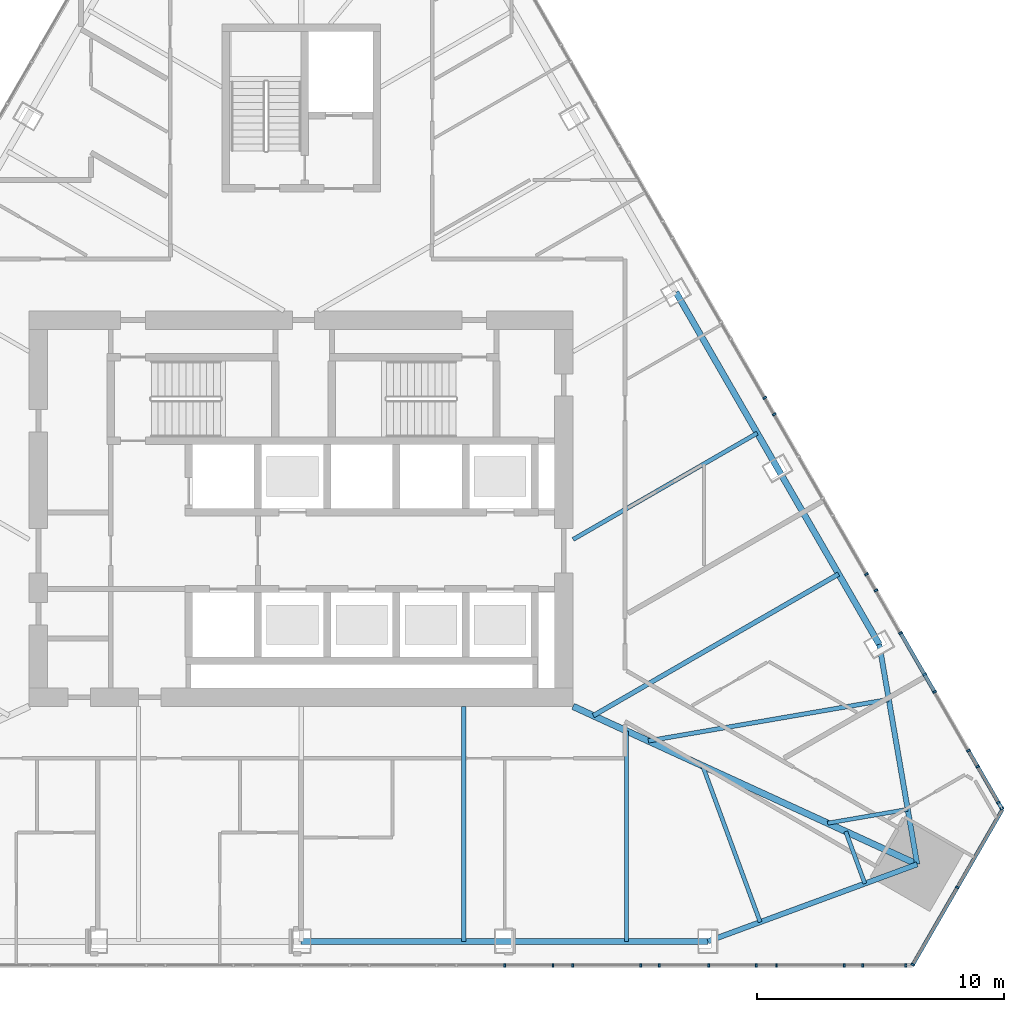
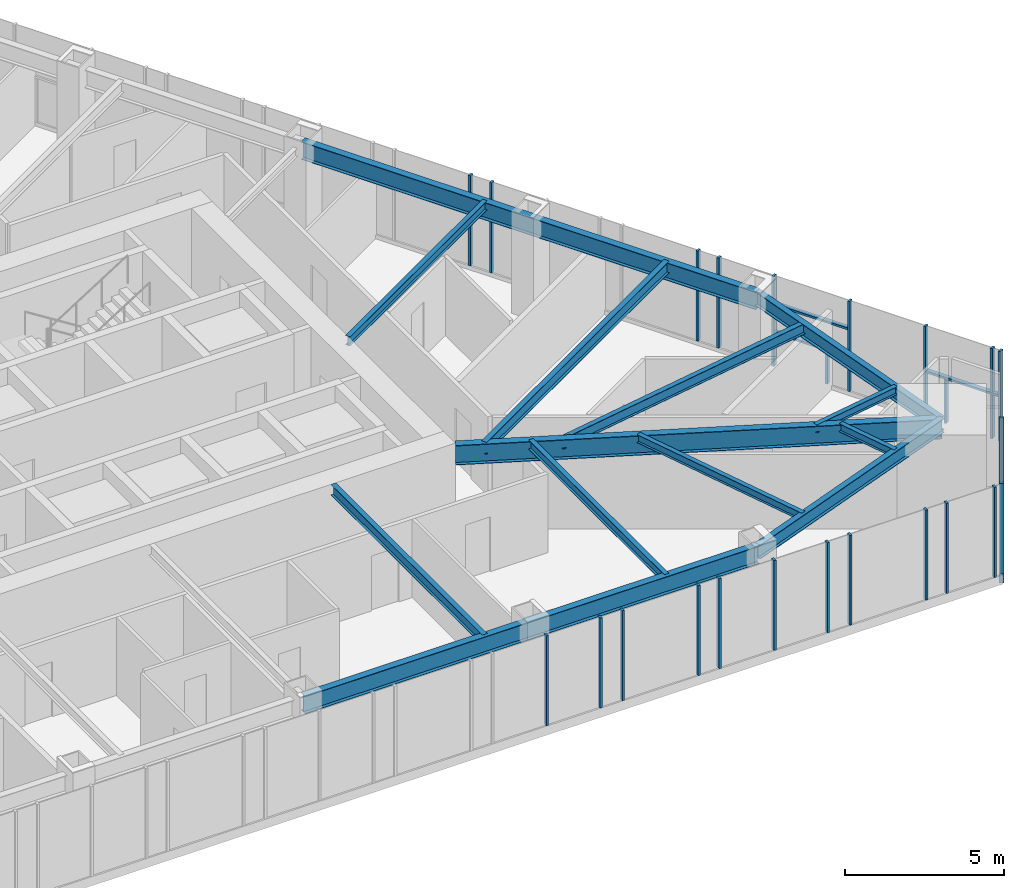
# One storey, part 7 of 24: 29 members, 13 beams, 3 elements without a shape of their own.
"""IFC4 building model written with IfcOpenShell, lengths in metres."""

from ifc_helpers import new_model, si_unit, direction, frame, origin, origin_2d, place, context, subcontext, project, spatial, rectangle, i_section, extrude, material, layer, layer_set, material_profile, profile_set, type_object, element, aggregate, save


model = new_model("IFC4")

# Units and contexts
model_context = context("Model", 3, precision=1e-05, world=origin(), true_north=direction((0.0, 1.0)))
body_context = subcontext(model_context, "Body", "Model", "MODEL_VIEW")
ifc_project = project(units=[si_unit("LENGTHUNIT", "METRE"), si_unit("AREAUNIT", "SQUARE_METRE"), si_unit("VOLUMEUNIT", "CUBIC_METRE"), si_unit("PLANEANGLEUNIT", "RADIAN"), si_unit("MASSUNIT", "GRAM", prefix="KILO")], contexts=[model_context])

# Site, building, storey
site_placement = place(None, origin())
site = spatial("IfcSite", under=ifc_project, at=site_placement, CompositionType="ELEMENT")
building_placement = place(site_placement, origin())
building = spatial("IfcBuilding", under=site, at=building_placement, Name="Firuza Gate Tower and Library", CompositionType="ELEMENT")
storey_placement = place(building_placement, frame((0.0, 0.0, 237.699951171875)))
storey = spatial("IfcBuildingStorey", under=building, at=storey_placement, Name="L56", CompositionType="ELEMENT", Elevation=237.699951171875)

# Curtain wall, members
ifc_material_1 = material(Name="Aluminium 6063-T6", Category="aluminium")
ifc_layer_1 = layer(ifc_material_1, 0.14990234375)
ifc_layer_set_1 = layer_set([ifc_layer_1], Name="Unitised curtain wall, hotel")
curtain_wall_type_1 = type_object("IfcCurtainWallType", Name="Unitised curtain wall, hotel", PredefinedType="NOTDEFINED", material=ifc_layer_set_1)
placement = place(storey_placement, origin())
curtain_wall_1 = element("IfcCurtainWall", 1, at=placement, inside=storey, type_object=curtain_wall_type_1, Name="CW2 L56 S face", PredefinedType="NOTDEFINED")
ifc_material_2 = material(Name="Aluminium 6063-T6", Category="aluminium")
ifc_material_profile_1 = material_profile(ifc_material_2, rectangle(XDim=0.14990234375, YDim=0.080078125, at=origin_2d()))
ifc_profile_set_1 = profile_set([ifc_material_profile_1], Name="Aluminium 6063-T6")
member_type_1 = type_object("IfcMemberType", Name="Curtain wall mullion 80x150", PredefinedType="MULLION", material=ifc_profile_set_1)
member_1_placement = place(storey_placement, frame((83.239990234375, 56.52099609375, 0.150146484375), z_axis=(0.0, 0.0, 1.0), x_axis=(0.0, 1.0, 0.0)))
member_1 = element("IfcMember", 2, at=member_1_placement, type_object=member_type_1, Name="Mullion", PredefinedType="MULLION", context=body_context, shape_type="SweptSolid", body=[
    extrude(rectangle(XDim=0.14990234375, YDim=0.080078125, at=origin_2d()), origin(), (0.0, 0.0, 1.0), 3.449951171875),
])
member_2_placement = place(storey_placement, frame((85.986572265625, 56.52099609375, 0.150146484375), z_axis=(0.0, 0.0, 1.0), x_axis=(0.0, 1.0, 0.0)))
member_2 = element("IfcMember", 3, at=member_2_placement, type_object=member_type_1, Name="Mullion", PredefinedType="MULLION", context=body_context, shape_type="SweptSolid", body=[
    extrude(rectangle(XDim=0.14990234375, YDim=0.080078125, at=origin_2d()), origin(), (0.0, 0.0, 1.0), 3.449951171875),
])
member_3_placement = place(storey_placement, frame((88.7333984375, 56.52099609375, 0.150146484375), z_axis=(0.0, 0.0, 1.0), x_axis=(0.0, 1.0, 0.0)))
member_3 = element("IfcMember", 4, at=member_3_placement, type_object=member_type_1, Name="Mullion", PredefinedType="MULLION", context=body_context, shape_type="SweptSolid", body=[
    extrude(rectangle(XDim=0.14990234375, YDim=0.080078125, at=origin_2d()), origin(), (0.0, 0.0, 1.0), 3.449951171875),
])
member_4_placement = place(storey_placement, frame((91.47998046875, 56.52099609375, 0.150146484375), z_axis=(0.0, 0.0, 1.0), x_axis=(0.0, 1.0, 0.0)))
member_4 = element("IfcMember", 5, at=member_4_placement, type_object=member_type_1, Name="Mullion", PredefinedType="MULLION", context=body_context, shape_type="SweptSolid", body=[
    extrude(rectangle(XDim=0.14990234375, YDim=0.080078125, at=origin_2d()), origin(), (0.0, 0.0, 1.0), 3.449951171875),
])
member_5_placement = place(storey_placement, frame((94.2265625, 56.52099609375, 0.150146484375), z_axis=(0.0, 0.0, 1.0), x_axis=(0.0, 1.0, 0.0)))
member_5 = element("IfcMember", 6, at=member_5_placement, type_object=member_type_1, Name="Mullion", PredefinedType="MULLION", context=body_context, shape_type="SweptSolid", body=[
    extrude(rectangle(XDim=0.14990234375, YDim=0.080078125, at=origin_2d()), origin(), (0.0, 0.0, 1.0), 3.449951171875),
])
member_6_placement = place(storey_placement, frame((96.973388671875, 56.52099609375, 0.150146484375), z_axis=(0.0, 0.0, 1.0), x_axis=(0.0, 1.0, 0.0)))
member_6 = element("IfcMember", 7, at=member_6_placement, type_object=member_type_1, Name="Mullion", PredefinedType="MULLION", context=body_context, shape_type="SweptSolid", body=[
    extrude(rectangle(XDim=0.14990234375, YDim=0.080078125, at=origin_2d()), origin(), (0.0, 0.0, 1.0), 3.449951171875),
])
member_7_placement = place(storey_placement, frame((85.18701171875, 56.52099609375, 0.150146484375), z_axis=(0.0, 0.0, 1.0), x_axis=(0.0, 1.0, 0.0)))
member_7 = element("IfcMember", 8, at=member_7_placement, type_object=member_type_1, Name="Mullion", PredefinedType="MULLION", context=body_context, shape_type="SweptSolid", body=[
    extrude(rectangle(XDim=0.14990234375, YDim=0.080078125, at=origin_2d()), origin(), (0.0, 0.0, 1.0), 3.449951171875),
])
member_8_placement = place(storey_placement, frame((89.489501953125, 56.52099609375, 0.150146484375), z_axis=(0.0, 0.0, 1.0), x_axis=(0.0, 1.0, 0.0)))
member_8 = element("IfcMember", 9, at=member_8_placement, type_object=member_type_1, Name="Mullion", PredefinedType="MULLION", context=body_context, shape_type="SweptSolid", body=[
    extrude(rectangle(XDim=0.14990234375, YDim=0.080078125, at=origin_2d()), origin(), (0.0, 0.0, 1.0), 3.449951171875),
])
member_9_placement = place(storey_placement, frame((93.41259765625, 56.52099609375, 0.150146484375), z_axis=(0.0, 0.0, 1.0), x_axis=(0.0, 1.0, 0.0)))
member_9 = element("IfcMember", 10, at=member_9_placement, type_object=member_type_1, Name="Mullion", PredefinedType="MULLION", context=body_context, shape_type="SweptSolid", body=[
    extrude(rectangle(XDim=0.14990234375, YDim=0.080078125, at=origin_2d()), origin(), (0.0, 0.0, 1.0), 3.449951171875),
])
member_10_placement = place(storey_placement, frame((97.715087890625, 56.52099609375, 0.150146484375), z_axis=(0.0, 0.0, 1.0), x_axis=(0.0, 1.0, 0.0)))
member_10 = element("IfcMember", 11, at=member_10_placement, type_object=member_type_1, Name="Mullion", PredefinedType="MULLION", context=body_context, shape_type="SweptSolid", body=[
    extrude(rectangle(XDim=0.14990234375, YDim=0.080078125, at=origin_2d()), origin(), (0.0, 0.0, 1.0), 3.449951171875),
])
member_11_placement = place(storey_placement, frame((99.453857421875, 56.52099609375, 0.150146484375), z_axis=(0.0, 0.0, 1.0), x_axis=(0.0, 1.0, 0.0)))
member_11 = element("IfcMember", 12, at=member_11_placement, type_object=member_type_1, Name="Mullion", PredefinedType="MULLION", context=body_context, shape_type="SweptSolid", body=[
    extrude(rectangle(XDim=0.14990234375, YDim=0.080078125, at=origin_2d()), origin(), (0.0, 0.0, 1.0), 3.449951171875),
])
aggregate(curtain_wall_1, [member_1, member_2, member_3, member_4, member_5, member_6, member_7, member_8, member_9, member_10, member_11])

ifc_material_3 = material(Name="Aluminium 6063-T6", Category="aluminium")
ifc_layer_2 = layer(ifc_material_3, 0.14990234375)
ifc_layer_set_2 = layer_set([ifc_layer_2], Name="Corner curtain wall, chamfers")
curtain_wall_type_2 = type_object("IfcCurtainWallType", Name="Corner curtain wall, chamfers", PredefinedType="NOTDEFINED", material=ifc_layer_set_2)
curtain_wall_2 = element("IfcCurtainWall", 13, at=placement, inside=storey, type_object=curtain_wall_type_2, Name="CW4 L56 SE corner", PredefinedType="NOTDEFINED")
member_12_placement = place(storey_placement, frame((99.739990234375, 56.5556640625, 0.150146484375), z_axis=(0.0, 0.0, 1.0), x_axis=(-0.866025403784, 0.5, 0.0)))
member_12 = element("IfcMember", 14, at=member_12_placement, type_object=member_type_1, Name="Mullion", PredefinedType="MULLION", context=body_context, shape_type="SweptSolid", body=[
    extrude(rectangle(XDim=0.14990234375, YDim=0.080078125, at=origin_2d()), origin(), (0.0, 0.0, 1.0), 3.449951171875),
])
member_13_placement = place(storey_placement, frame((101.54150390625, 59.67626953125, 0.150146484375), z_axis=(0.0, 0.0, 1.0), x_axis=(-0.866025403784, 0.5, 0.0)))
member_13 = element("IfcMember", 15, at=member_13_placement, type_object=member_type_1, Name="Mullion", PredefinedType="MULLION", context=body_context, shape_type="SweptSolid", body=[
    extrude(rectangle(XDim=0.14990234375, YDim=0.080078125, at=origin_2d()), origin(), (0.0, 0.0, 1.0), 3.449951171875),
])

curtain_wall_3 = element("IfcCurtainWall", 16, at=placement, inside=storey, type_object=curtain_wall_type_1, Name="CW2 L56 E face", PredefinedType="NOTDEFINED")
member_14_placement = place(storey_placement, frame((103.34326171875, 62.865966796875, 0.150146484375), z_axis=(0.0, 0.0, 1.0), x_axis=(-0.866025403784, -0.5, 0.0)))
member_14 = element("IfcMember", 17, at=member_14_placement, type_object=member_type_1, Name="Mullion", PredefinedType="MULLION", context=body_context, shape_type="SweptSolid", body=[
    extrude(rectangle(XDim=0.14990234375, YDim=0.080078125, at=origin_2d()), origin(), (0.0, 0.0, 1.0), 3.449951171875),
])
member_15_placement = place(storey_placement, frame((101.989990234375, 65.2099609375, 0.150146484375), z_axis=(0.0, 0.0, 1.0), x_axis=(-0.866025403784, -0.5, 0.0)))
member_15 = element("IfcMember", 18, at=member_15_placement, type_object=member_type_1, Name="Mullion", PredefinedType="MULLION", context=body_context, shape_type="SweptSolid", body=[
    extrude(rectangle(XDim=0.14990234375, YDim=0.080078125, at=origin_2d()), origin(), (0.0, 0.0, 1.0), 3.449951171875),
])
member_16_placement = place(storey_placement, frame((100.616455078125, 67.5888671875, 0.150146484375), z_axis=(0.0, 0.0, 1.0), x_axis=(-0.866025403784, -0.5, 0.0)))
member_16 = element("IfcMember", 19, at=member_16_placement, type_object=member_type_1, Name="Mullion", PredefinedType="MULLION", context=body_context, shape_type="SweptSolid", body=[
    extrude(rectangle(XDim=0.14990234375, YDim=0.080078125, at=origin_2d()), origin(), (0.0, 0.0, 1.0), 3.449951171875),
])
member_17_placement = place(storey_placement, frame((99.2431640625, 69.967529296875, 0.150146484375), z_axis=(0.0, 0.0, 1.0), x_axis=(-0.866025403784, -0.5, 0.0)))
member_17 = element("IfcMember", 20, at=member_17_placement, type_object=member_type_1, Name="Mullion", PredefinedType="MULLION", context=body_context, shape_type="SweptSolid", body=[
    extrude(rectangle(XDim=0.14990234375, YDim=0.080078125, at=origin_2d()), origin(), (0.0, 0.0, 1.0), 3.449951171875),
])
member_18_placement = place(storey_placement, frame((97.869873046875, 72.34619140625, 0.150146484375), z_axis=(0.0, 0.0, 1.0), x_axis=(-0.866025403784, -0.5, 0.0)))
member_18 = element("IfcMember", 21, at=member_18_placement, type_object=member_type_1, Name="Mullion", PredefinedType="MULLION", context=body_context, shape_type="SweptSolid", body=[
    extrude(rectangle(XDim=0.14990234375, YDim=0.080078125, at=origin_2d()), origin(), (0.0, 0.0, 1.0), 3.449951171875),
])
member_19_placement = place(storey_placement, frame((93.75, 79.482177734375, 0.150146484375), z_axis=(0.0, 0.0, 1.0), x_axis=(-0.866025403784, -0.5, 0.0)))
member_19 = element("IfcMember", 22, at=member_19_placement, type_object=member_type_1, Name="Mullion", PredefinedType="MULLION", context=body_context, shape_type="SweptSolid", body=[
    extrude(rectangle(XDim=0.14990234375, YDim=0.080078125, at=origin_2d()), origin(), (0.0, 0.0, 1.0), 3.449951171875),
])
member_20_placement = place(storey_placement, frame((103.19775390625, 63.1181640625, 0.150146484375), z_axis=(0.0, 0.0, 1.0), x_axis=(-0.866025403784, -0.5, 0.0)))
member_20 = element("IfcMember", 23, at=member_20_placement, type_object=member_type_1, Name="Mullion", PredefinedType="MULLION", context=body_context, shape_type="SweptSolid", body=[
    extrude(rectangle(XDim=0.14990234375, YDim=0.080078125, at=origin_2d()), origin(), (0.0, 0.0, 1.0), 1.684814453125),
])
member_21_placement = place(storey_placement, frame((102.36083984375, 64.567626953125, 0.150146484375), z_axis=(0.0, 0.0, 1.0), x_axis=(-0.866025403784, -0.5, 0.0)))
member_21 = element("IfcMember", 24, at=member_21_placement, type_object=member_type_1, Name="Mullion", PredefinedType="MULLION", context=body_context, shape_type="SweptSolid", body=[
    extrude(rectangle(XDim=0.14990234375, YDim=0.080078125, at=origin_2d()), origin(), (0.0, 0.0, 1.0), 1.684814453125),
])
member_22_placement = place(storey_placement, frame((103.19775390625, 63.1181640625, 1.9150390625), z_axis=(0.0, 0.0, 1.0), x_axis=(-0.866025403784, -0.5, 0.0)))
member_22 = element("IfcMember", 25, at=member_22_placement, type_object=member_type_1, Name="Mullion", PredefinedType="MULLION", context=body_context, shape_type="SweptSolid", body=[
    extrude(rectangle(XDim=0.14990234375, YDim=0.080078125, at=origin_2d()), origin(), (0.0, 0.0, 1.0), 1.68505859375),
])
member_23_placement = place(storey_placement, frame((100.20947265625, 68.293701171875, 0.150146484375), z_axis=(0.0, 0.0, 1.0), x_axis=(-0.866025403784, -0.5, 0.0)))
member_23 = element("IfcMember", 26, at=member_23_placement, type_object=member_type_1, Name="Mullion", PredefinedType="MULLION", context=body_context, shape_type="SweptSolid", body=[
    extrude(rectangle(XDim=0.14990234375, YDim=0.080078125, at=origin_2d()), origin(), (0.0, 0.0, 1.0), 1.260009765625),
])
member_24_placement = place(storey_placement, frame((98.248046875, 71.691162109375, 0.150146484375), z_axis=(0.0, 0.0, 1.0), x_axis=(-0.866025403784, -0.5, 0.0)))
member_24 = element("IfcMember", 27, at=member_24_placement, type_object=member_type_1, Name="Mullion", PredefinedType="MULLION", context=body_context, shape_type="SweptSolid", body=[
    extrude(rectangle(XDim=0.14990234375, YDim=0.080078125, at=origin_2d()), origin(), (0.0, 0.0, 1.0), 3.449951171875),
])
member_25_placement = place(storey_placement, frame((94.13525390625, 78.814697265625, 0.150146484375), z_axis=(0.0, 0.0, 1.0), x_axis=(-0.866025403784, -0.5, 0.0)))
member_25 = element("IfcMember", 28, at=member_25_placement, type_object=member_type_1, Name="Mullion", PredefinedType="MULLION", context=body_context, shape_type="SweptSolid", body=[
    extrude(rectangle(XDim=0.14990234375, YDim=0.080078125, at=origin_2d()), origin(), (0.0, 0.0, 1.0), 3.449951171875),
])

# Member
ifc_material_4 = material(Name="Aluminium 6063-T6", Category="aluminium")
ifc_material_profile_2 = material_profile(ifc_material_4, rectangle(XDim=0.14990234375, YDim=0.35009765625, at=origin_2d()))
ifc_profile_set_2 = profile_set([ifc_material_profile_2], Name="Aluminium 6063-T6")
member_type_2 = type_object("IfcMemberType", Name="Curtain wall transom 350x150", PredefinedType="USERDEFINED", material=ifc_profile_set_2)
member_26_placement = place(storey_placement, frame((99.719970703125, 56.52099609375, -0.02490234375), z_axis=(0.500005719219, 0.866022101766, 0.0), x_axis=(-0.866022101766, 0.500005719219, 0.0)))
member_26 = element("IfcMember", 29, at=member_26_placement, type_object=member_type_2, Name="Transom", ObjectType="TRANSOM", PredefinedType="USERDEFINED", context=body_context, shape_type="SweptSolid", body=[
    extrude(rectangle(XDim=0.14990234375, YDim=0.35009765625, at=origin_2d()), origin(), (0.0, 0.0, 1.0), 7.28662109375),
])

aggregate(curtain_wall_2, [member_12, member_13, member_26])

ifc_material_5 = material(Name="Aluminium 6063-T6", Category="aluminium")
ifc_material_profile_3 = material_profile(ifc_material_5, rectangle(XDim=0.14990234375, YDim=0.080078125, at=origin_2d()))
ifc_profile_set_3 = profile_set([ifc_material_profile_3], Name="Aluminium 6063-T6")
member_type_3 = type_object("IfcMemberType", Name="Curtain wall transom 80x150", PredefinedType="USERDEFINED", material=ifc_profile_set_3)
member_27_placement = place(storey_placement, frame((103.34326171875, 62.865966796875, 1.875), z_axis=(-0.499949632511, 0.866054481515, 0.0), x_axis=(-0.866054481515, -0.499949632511, 0.0)))
member_27 = element("IfcMember", 30, at=member_27_placement, type_object=member_type_3, Name="Transom", ObjectType="TRANSOM", PredefinedType="USERDEFINED", context=body_context, shape_type="SweptSolid", body=[
    extrude(rectangle(XDim=0.14990234375, YDim=0.080078125, at=origin_2d()), origin(), (0.0, 0.0, 1.0), 2.666748046875),
])

member_28_placement = place(storey_placement, frame((100.5966796875, 67.623291015625, 1.449951171875), z_axis=(-0.500018294232, 0.866014841347, 0.0), x_axis=(-0.866014841347, -0.500018294232, 0.0)))
member_28 = element("IfcMember", 31, at=member_28_placement, type_object=member_type_3, Name="Transom", ObjectType="TRANSOM", PredefinedType="USERDEFINED", context=body_context, shape_type="SweptSolid", body=[
    extrude(rectangle(XDim=0.14990234375, YDim=0.080078125, at=origin_2d()), origin(), (0.0, 0.0, 1.0), 2.6669921875),
])

member_29_placement = place(storey_placement, frame((100.5966796875, 67.623291015625, 2.525146484375), z_axis=(-0.500018294232, 0.866014841347, 0.0), x_axis=(-0.866014841347, -0.500018294232, 0.0)))
member_29 = element("IfcMember", 32, at=member_29_placement, type_object=member_type_3, Name="Transom", ObjectType="TRANSOM", PredefinedType="USERDEFINED", context=body_context, shape_type="SweptSolid", body=[
    extrude(rectangle(XDim=0.14990234375, YDim=0.080078125, at=origin_2d()), origin(), (0.0, 0.0, 1.0), 2.6669921875),
])

aggregate(curtain_wall_3, [member_14, member_15, member_16, member_17, member_18, member_19, member_20, member_21, member_22, member_27, member_23, member_28, member_29, member_24, member_25])

# Beams
ifc_material_6 = material(Name="Steel S355", Category="steel")
ifc_material_profile_4 = material_profile(ifc_material_6, i_section(OverallWidth=0.1650390625, OverallDepth=0.31005859375, WebThickness=0.005859375, FlangeThickness=0.009765625, at=origin_2d()))
ifc_profile_set_4 = profile_set([ifc_material_profile_4], Name="Steel S355")
beam_type_1 = type_object("IfcBeamType", Name="W310x39 Floor beam", PredefinedType="JOIST", material=ifc_profile_set_4)
beam_1_placement = place(storey_placement, frame((93.56787109375, 58.275390625, 3.445068359375), z_axis=(-0.3455793619, 0.938389527131, 0.0), x_axis=(-0.938389527131, -0.3455793619, 0.0)))
element("IfcBeam", 33, at=beam_1_placement, inside=storey, type_object=beam_type_1, Name="Floor beam L56 s30", PredefinedType="JOIST", context=body_context, shape_type="SweptSolid", body=[
    extrude(i_section(OverallWidth=0.1650390625, OverallDepth=0.31005859375, WebThickness=0.005859375, FlangeThickness=0.009765625, at=origin_2d()), origin(), (0.0, 0.0, 1.0), 6.73486328125),
])
beam_2_placement = place(storey_placement, frame((97.801025390625, 59.834228515625, 3.445068359375), z_axis=(-0.345503762559, 0.938417364533, 0.0), x_axis=(-0.938417364533, -0.345503762559, 0.0)))
element("IfcBeam", 34, at=beam_2_placement, inside=storey, type_object=beam_type_1, Name="Floor beam L56 s31", PredefinedType="JOIST", context=body_context, shape_type="SweptSolid", body=[
    extrude(i_section(OverallWidth=0.1650390625, OverallDepth=0.31005859375, WebThickness=0.005859375, FlangeThickness=0.009765625, at=origin_2d()), origin(), (0.0, 0.0, 1.0), 2.244873046875),
])
beam_3_placement = place(storey_placement, frame((99.534423828125, 62.83642578125, 3.445068359375), z_axis=(-0.985455831019, -0.169931766042, 0.0), x_axis=(0.169931766042, -0.985455831019, 0.0)))
element("IfcBeam", 35, at=beam_3_placement, inside=storey, type_object=beam_type_1, Name="Floor beam L56 s40", PredefinedType="JOIST", context=body_context, shape_type="SweptSolid", body=[
    extrude(i_section(OverallWidth=0.1650390625, OverallDepth=0.31005859375, WebThickness=0.005859375, FlangeThickness=0.009765625, at=origin_2d()), origin(), (0.0, 0.0, 1.0), 3.2900390625),
])
ifc_material_7 = material(Name="Steel S355", Category="steel")
ifc_material_profile_5 = material_profile(ifc_material_7, i_section(OverallWidth=0.1708984375, OverallDepth=0.35498046875, WebThickness=0.007080078125, FlangeThickness=0.01171875, at=origin_2d()))
ifc_profile_set_5 = profile_set([ifc_material_profile_5], Name="Steel S355")
beam_type_2 = type_object("IfcBeamType", Name="W360x51 Floor beam", PredefinedType="JOIST", material=ifc_profile_set_5)
beam_4_placement = place(storey_placement, frame((88.160888671875, 57.49609375, 3.422607421875), z_axis=(0.0, 1.0, 0.0), x_axis=(-1.0, 0.0, 0.0)))
element("IfcBeam", 36, at=beam_4_placement, inside=storey, type_object=beam_type_2, Name="Floor beam L56 s24", PredefinedType="JOIST", context=body_context, shape_type="SweptSolid", body=[
    extrude(i_section(OverallWidth=0.1708984375, OverallDepth=0.35498046875, WebThickness=0.007080078125, FlangeThickness=0.01171875, at=origin_2d()), origin(), (0.0, 0.0, 1.0), 8.512451171875),
])
beam_5_placement = place(storey_placement, frame((93.44921875, 78.05322265625, 3.422607421875), z_axis=(-0.866026773083, -0.499997628298, 0.0), x_axis=(0.499997628298, -0.866026773083, 0.0)))
element("IfcBeam", 37, at=beam_5_placement, inside=storey, type_object=beam_type_2, Name="Floor beam L56 s51", PredefinedType="JOIST", context=body_context, shape_type="SweptSolid", body=[
    extrude(i_section(OverallWidth=0.1708984375, OverallDepth=0.35498046875, WebThickness=0.007080078125, FlangeThickness=0.01171875, at=origin_2d()), origin(), (0.0, 0.0, 1.0), 8.6015625),
])
ifc_material_8 = material(Name="Steel S355", Category="steel")
ifc_material_profile_6 = material_profile(ifc_material_8, i_section(OverallWidth=0.177978515625, OverallDepth=0.406982421875, WebThickness=0.0078125, FlangeThickness=0.0126953125, at=origin_2d()))
ifc_profile_set_6 = profile_set([ifc_material_profile_6], Name="Steel S355")
beam_type_3 = type_object("IfcBeamType", Name="W410x60 Floor beam", PredefinedType="JOIST", material=ifc_profile_set_6)
beam_6_placement = place(storey_placement, frame((81.580322265625, 57.49609375, 3.396484375), z_axis=(0.0, 1.0, 0.0), x_axis=(-1.0, 0.0, 0.0)))
element("IfcBeam", 38, at=beam_6_placement, inside=storey, type_object=beam_type_3, Name="Floor beam L56 s23", PredefinedType="JOIST", context=body_context, shape_type="SweptSolid", body=[
    extrude(i_section(OverallWidth=0.177978515625, OverallDepth=0.406982421875, WebThickness=0.0078125, FlangeThickness=0.0126953125, at=origin_2d()), origin(), (0.0, 0.0, 1.0), 9.50390625),
])
beam_7_placement = place(storey_placement, frame((98.767822265625, 67.2822265625, 3.396484375), z_axis=(-0.985452403009, -0.169951644313, 0.0), x_axis=(0.169951644313, -0.985452403009, 0.0)))
element("IfcBeam", 39, at=beam_7_placement, inside=storey, type_object=beam_type_3, Name="Floor beam L56 s41", PredefinedType="JOIST", context=body_context, shape_type="SweptSolid", body=[
    extrude(i_section(OverallWidth=0.177978515625, OverallDepth=0.406982421875, WebThickness=0.0078125, FlangeThickness=0.0126953125, at=origin_2d()), origin(), (0.0, 0.0, 1.0), 9.870361328125),
])
ifc_material_9 = material(Name="Steel S355", Category="steel")
ifc_material_profile_7 = material_profile(ifc_material_9, i_section(OverallWidth=0.18994140625, OverallDepth=0.45703125, WebThickness=0.009033203125, FlangeThickness=0.014404296875, at=origin_2d()))
ifc_profile_set_7 = profile_set([ifc_material_profile_7], Name="Steel S355")
beam_type_4 = type_object("IfcBeamType", Name="W460x74 Floor beam", PredefinedType="JOIST", material=ifc_profile_set_7)
beam_8_placement = place(storey_placement, frame((96.7392578125, 72.354248046875, 3.37158203125), z_axis=(-0.866023783073, -0.500002807145, 0.0), x_axis=(0.500002807145, -0.866023783073, 0.0)))
element("IfcBeam", 40, at=beam_8_placement, inside=storey, type_object=beam_type_4, Name="Floor beam L56 s50", PredefinedType="JOIST", context=body_context, shape_type="SweptSolid", body=[
    extrude(i_section(OverallWidth=0.18994140625, OverallDepth=0.45703125, WebThickness=0.009033203125, FlangeThickness=0.014404296875, at=origin_2d()), origin(), (0.0, 0.0, 1.0), 11.4580078125),
])
ifc_material_10 = material(Name="Steel S355", Category="steel")
ifc_material_profile_8 = material_profile(ifc_material_10, i_section(OverallWidth=0.212890625, OverallDepth=0.5390625, WebThickness=0.01171875, FlangeThickness=0.018798828125, at=origin_2d()))
ifc_profile_set_8 = profile_set([ifc_material_profile_8], Name="Steel S355")
beam_type_5 = type_object("IfcBeamType", Name="W530x109 Edge beam", PredefinedType="SPANDREL", material=ifc_profile_set_8)
beam_9_placement = place(storey_placement, frame((91.451171875, 57.49609375, 3.33056640625), z_axis=(0.938399929304, 0.345551114427, 0.0), x_axis=(-0.345551114427, 0.938399929304, 0.0)))
element("IfcBeam", 41, at=beam_9_placement, inside=storey, type_object=beam_type_5, Name="Edge beam L56 e30", PredefinedType="SPANDREL", context=body_context, shape_type="SweptSolid", body=[
    extrude(i_section(OverallWidth=0.212890625, OverallDepth=0.5390625, WebThickness=0.01171875, FlangeThickness=0.018798828125, at=origin_2d()), origin(), (0.0, 0.0, 1.0), 9.022216796875),
])
beam_10_placement = place(storey_placement, frame((99.917724609375, 60.61376953125, 3.33056640625), z_axis=(-0.169934101, 0.985455428377, 0.0), x_axis=(-0.985455428377, -0.169934101, 0.0)))
element("IfcBeam", 42, at=beam_10_placement, inside=storey, type_object=beam_type_5, Name="Edge beam L56 e40", PredefinedType="SPANDREL", context=body_context, shape_type="SweptSolid", body=[
    extrude(i_section(OverallWidth=0.212890625, OverallDepth=0.5390625, WebThickness=0.01171875, FlangeThickness=0.018798828125, at=origin_2d()), origin(), (0.0, 0.0, 1.0), 9.0224609375),
])
ifc_material_11 = material(Name="Steel S355", Category="steel")
ifc_material_profile_9 = material_profile(ifc_material_11, i_section(OverallWidth=0.2529296875, OverallDepth=0.677978515625, WebThickness=0.01171875, FlangeThickness=0.016357421875, at=origin_2d()))
ifc_profile_set_9 = profile_set([ifc_material_profile_9], Name="Steel S355")
beam_type_6 = type_object("IfcBeamType", Name="W690x125 Edge beam", PredefinedType="SPANDREL", material=ifc_profile_set_9)
for number, where, z_axis, x_axis, name in (
    (43, (75.0, 57.49609375, 3.260986328125), (1.0, 0.0, 0.0), (0.0, 1.0, 0.0), "Edge beam L56 e22"),
    (44, (98.384521484375, 69.5048828125, 3.260986328125), (-0.500001643842, 0.866024454709, 0.0), (-0.866024454709, -0.500001643842, 0.0), "Edge beam L56 e50"),
):
    element("IfcBeam", number, at=place(storey_placement, frame(where, z_axis=z_axis, x_axis=x_axis)), inside=storey, type_object=beam_type_6, Name=name, PredefinedType="SPANDREL", context=body_context, shape_type="SweptSolid", body=[
        extrude(i_section(OverallWidth=0.2529296875, OverallDepth=0.677978515625, WebThickness=0.01171875, FlangeThickness=0.016357421875, at=origin_2d()), origin(), (0.0, 0.0, 1.0), 16.451171875),
    ])
ifc_material_12 = material(Name="Steel S355", Category="steel")
ifc_material_profile_10 = material_profile(ifc_material_12, i_section(OverallWidth=0.264892578125, OverallDepth=0.7529296875, WebThickness=0.01318359375, FlangeThickness=0.01708984375, at=origin_2d()))
ifc_profile_set_10 = profile_set([ifc_material_profile_10], Name="Steel S355")
beam_type_7 = type_object("IfcBeamType", Name="W760x147 Girder", PredefinedType="BEAM", material=ifc_profile_set_10)
beam_11_placement = place(storey_placement, frame((99.917724609375, 60.61376953125, 3.2236328125), z_axis=(-0.908884831749, 0.417047194711, 0.0), x_axis=(-0.417047194711, -0.908884831749, 0.0)))
element("IfcBeam", 45, at=beam_11_placement, inside=storey, type_object=beam_type_7, Name="Girder L56 gSE", PredefinedType="BEAM", context=body_context, shape_type="SweptSolid", body=[
    extrude(i_section(OverallWidth=0.264892578125, OverallDepth=0.7529296875, WebThickness=0.01318359375, FlangeThickness=0.01708984375, at=origin_2d()), origin(), (0.0, 0.0, 1.0), 15.31298828125),
])

save(model, "model.ifc")
